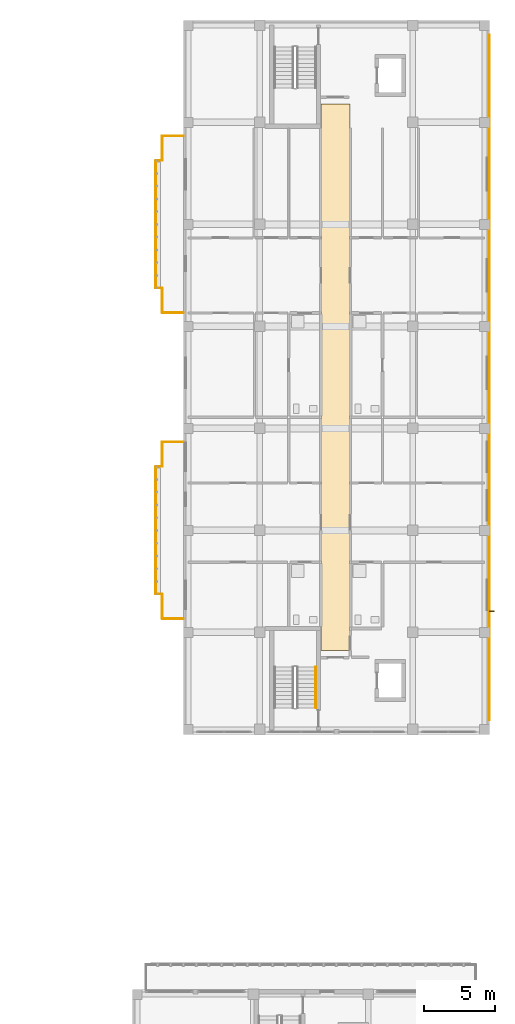
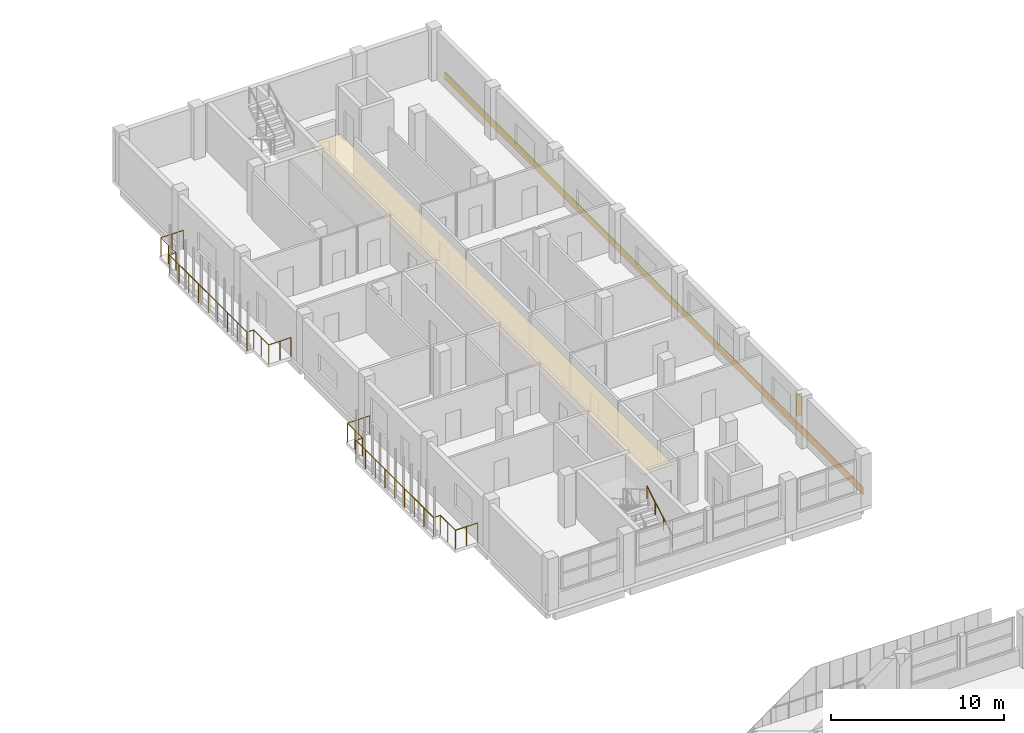
# One storey, part 70 of 73: 3 railings, 2 coverings, 1 shading device.
"""IFC4 building model written with IfcOpenShell, lengths in metres."""

from ifc_helpers import new_model, si_unit, derived_unit, direction, frame, origin, origin_2d, place, context, subcontext, project, spatial, polyline, rectangle, circle, outline, extrude, material, layer, layer_set, type_object, element, save


model = new_model("IFC4")

# Units and contexts
model_context = context("Model", 3, precision=1e-05, world=origin(), true_north=direction((0.0, 1.0)))
body_context = subcontext(model_context, "Body", "Model", "MODEL_VIEW")
ifc_project = project(units=[si_unit("LENGTHUNIT", "METRE"), si_unit("AREAUNIT", "SQUARE_METRE"), si_unit("VOLUMEUNIT", "CUBIC_METRE"), si_unit("PLANEANGLEUNIT", "RADIAN"), si_unit("MASSUNIT", "GRAM", prefix="KILO"), derived_unit("THERMALTRANSMITTANCEUNIT", [(si_unit("MASSUNIT", "GRAM", prefix="KILO"), 1), (si_unit("TIMEUNIT", "SECOND"), -3), (si_unit("THERMODYNAMICTEMPERATUREUNIT", "KELVIN"), -1)])], contexts=[model_context])

# Site, building, storey
site_placement = place(None, origin())
site = spatial("IfcSite", under=ifc_project, at=site_placement, CompositionType="ELEMENT")
building_placement = place(site_placement, origin())
building = spatial("IfcBuilding", under=site, at=building_placement, Name="Ochrekiln Boulevard Commons", CompositionType="ELEMENT")
storey_placement = place(building_placement, frame((0.0, 0.0, 4.89990234375)))
storey = spatial("IfcBuildingStorey", under=building, at=storey_placement, Name="L01", CompositionType="ELEMENT", Elevation=4.89990234375)

# Coverings
ifc_material_1 = material(Name="Mineral-fibre acoustic ceiling tile")
ifc_layer_1 = layer(ifc_material_1, 0.02490234375)
ifc_layer_set_1 = layer_set([ifc_layer_1], Name="Mineral-fibre acoustic ceiling tile")
covering_type_1 = type_object("IfcCoveringType", Name="COV-CEIL-AC", PredefinedType="CEILING", material=ifc_layer_set_1)
covering_1_placement = place(storey_placement, frame((0.0, 0.0, 2.650146484375)))
element("IfcCovering", 1, at=covering_1_placement, inside=storey, type_object=covering_type_1, Name="L01 Acoustic Corridor Ceiling 18", PredefinedType="CEILING", context=body_context, shape_type="SweptSolid", body=[
    extrude(outline(polyline([(160.919921875, 74.320068359375), (162.97998046875, 74.320068359375), (162.97998046875, 112.8798828125), (160.919921875, 112.8798828125), (160.919921875, 74.320068359375)])), origin(), (0.0, 0.0, 1.0), 0.02490234375),
])
ifc_material_2 = material(Name="Glazed architectural terracotta ASTM C1405", Category="masonry")
ifc_layer_2 = layer(ifc_material_2, 0.0400390625)
ifc_layer_set_2 = layer_set([ifc_layer_2], Name="Glazed architectural terracotta ASTM C1405")
covering_type_2 = type_object("IfcCoveringType", Name="COV-CLAD-TERRA", PredefinedType="CLADDING", material=ifc_layer_set_2)
covering_2_placement = place(storey_placement, frame((172.820068359375, 93.60009765625, 0.0751953125), z_axis=(0.0, 0.0, 1.0), x_axis=(1.0, 0.0, 0.0)))
element("IfcCovering", 2, at=covering_2_placement, inside=storey, type_object=covering_type_2, Name="Block B L01 Glazed Terracotta Spandrel Band", PredefinedType="CLADDING", context=body_context, shape_type="SweptSolid", body=[
    extrude(rectangle(XDim=0.0400390625, YDim=48.39990234375, at=origin_2d()), origin(), (0.0, 0.0, 1.0), 0.550048828125),
])

# Railings
ifc_material_3 = material(Name="Bronze-anodized extruded aluminium 6063-T6", Category="aluminium")
railing_type_1 = type_object("IfcRailingType", Name="RLG-BAL-1350", PredefinedType="BALUSTRADE", material=ifc_material_3)
railing_1_placement = place(storey_placement, frame((151.199951171875, 76.56005859375, 0.0)))
element("IfcRailing", 3, at=railing_1_placement, inside=storey, type_object=railing_type_1, Name="Block B L01 Balcony Guard Balustrade 1", PredefinedType="BALUSTRADE", context=body_context, shape_type="SweptSolid", body=[
    extrude(circle(Radius=0.02392578125, at=origin_2d()), frame((0.0, 0.0, 1.326171875), z_axis=(-1.0, 0.0, 0.0), x_axis=(0.0, -1.0, 0.0)), (0.0, 0.0, 1.0), 1.489990234375),
    extrude(circle(Radius=0.02392578125, at=origin_2d()), frame((-1.489990234375, 0.0, 1.326171875), z_axis=(0.0, 1.0, 0.0), x_axis=(-1.0, 0.0, 0.0)), (0.0, 0.0, 1.0), 1.739990234375),
    extrude(circle(Radius=0.02392578125, at=origin_2d()), frame((-1.489990234375, 1.739990234375, 1.326171875), z_axis=(-1.0, 0.0, 0.0), x_axis=(0.0, -1.0, 0.0)), (0.0, 0.0, 1.0), 0.449951171875),
    extrude(circle(Radius=0.02392578125, at=origin_2d()), frame((-1.93994140625, 1.739990234375, 1.326171875), z_axis=(0.0, 1.0, 0.0), x_axis=(-1.0, 0.0, 0.0)), (0.0, 0.0, 1.0), 9.0),
    extrude(circle(Radius=0.02392578125, at=origin_2d()), frame((-1.93994140625, 10.739990234375, 1.326171875), z_axis=(1.0, 0.0, 0.0), x_axis=(0.0, 1.0, 0.0)), (0.0, 0.0, 1.0), 0.449951171875),
    extrude(circle(Radius=0.02392578125, at=origin_2d()), frame((-1.489990234375, 10.739990234375, 1.326171875), z_axis=(0.0, 1.0, 0.0), x_axis=(-1.0, 0.0, 0.0)), (0.0, 0.0, 1.0), 1.739990234375),
    extrude(circle(Radius=0.02392578125, at=origin_2d()), frame((-1.489990234375, 12.47998046875, 1.326171875), z_axis=(1.0, 0.0, 0.0), x_axis=(0.0, 1.0, 0.0)), (0.0, 0.0, 1.0), 1.489990234375),
    extrude(circle(Radius=0.02099609375, at=origin_2d()), origin(), (0.0, 0.0, 1.0), 1.302001953125),
    extrude(circle(Radius=0.02099609375, at=origin_2d()), frame((-0.7451171875, 0.0, 0.0)), (0.0, 0.0, 1.0), 1.302001953125),
    extrude(circle(Radius=0.02099609375, at=origin_2d()), frame((-1.489990234375, 0.0, 0.0)), (0.0, 0.0, 1.0), 1.302001953125),
    extrude(circle(Radius=0.02099609375, at=origin_2d()), frame((-1.489990234375, 0.8701171875, 0.0)), (0.0, 0.0, 1.0), 1.302001953125),
    extrude(circle(Radius=0.02099609375, at=origin_2d()), frame((-1.489990234375, 1.739990234375, 0.0)), (0.0, 0.0, 1.0), 1.302001953125),
    extrude(circle(Radius=0.02099609375, at=origin_2d()), frame((-1.93994140625, 1.739990234375, 0.0)), (0.0, 0.0, 1.0), 1.302001953125),
    extrude(circle(Radius=0.02099609375, at=origin_2d()), frame((-1.93994140625, 2.864990234375, 0.0)), (0.0, 0.0, 1.0), 1.302001953125),
    extrude(circle(Radius=0.02099609375, at=origin_2d()), frame((-1.93994140625, 3.989990234375, 0.0)), (0.0, 0.0, 1.0), 1.302001953125),
    extrude(circle(Radius=0.02099609375, at=origin_2d()), frame((-1.93994140625, 5.114990234375, 0.0)), (0.0, 0.0, 1.0), 1.302001953125),
    extrude(circle(Radius=0.02099609375, at=origin_2d()), frame((-1.93994140625, 6.239990234375, 0.0)), (0.0, 0.0, 1.0), 1.302001953125),
    extrude(circle(Radius=0.02099609375, at=origin_2d()), frame((-1.93994140625, 7.364990234375, 0.0)), (0.0, 0.0, 1.0), 1.302001953125),
    extrude(circle(Radius=0.02099609375, at=origin_2d()), frame((-1.93994140625, 8.489990234375, 0.0)), (0.0, 0.0, 1.0), 1.302001953125),
    extrude(circle(Radius=0.02099609375, at=origin_2d()), frame((-1.93994140625, 9.614990234375, 0.0)), (0.0, 0.0, 1.0), 1.302001953125),
    extrude(circle(Radius=0.02099609375, at=origin_2d()), frame((-1.93994140625, 10.739990234375, 0.0)), (0.0, 0.0, 1.0), 1.302001953125),
    extrude(circle(Radius=0.02099609375, at=origin_2d()), frame((-1.489990234375, 10.739990234375, 0.0)), (0.0, 0.0, 1.0), 1.302001953125),
    extrude(circle(Radius=0.02099609375, at=origin_2d()), frame((-1.489990234375, 11.60986328125, 0.0)), (0.0, 0.0, 1.0), 1.302001953125),
    extrude(circle(Radius=0.02099609375, at=origin_2d()), frame((-1.489990234375, 12.47998046875, 0.0)), (0.0, 0.0, 1.0), 1.302001953125),
    extrude(circle(Radius=0.02099609375, at=origin_2d()), frame((-0.7451171875, 12.47998046875, 0.0)), (0.0, 0.0, 1.0), 1.302001953125),
    extrude(circle(Radius=0.02099609375, at=origin_2d()), frame((0.0, 12.47998046875, 0.0)), (0.0, 0.0, 1.0), 1.302001953125),
])
railing_2_placement = place(storey_placement, frame((151.199951171875, 98.159912109375, 0.0)))
element("IfcRailing", 4, at=railing_2_placement, inside=storey, type_object=railing_type_1, Name="Block B L01 Balcony Guard Balustrade 2", PredefinedType="BALUSTRADE", context=body_context, shape_type="SweptSolid", body=[
    extrude(circle(Radius=0.02392578125, at=origin_2d()), frame((0.0, 0.0, 1.326171875), z_axis=(-1.0, 0.0, 0.0), x_axis=(0.0, -1.0, 0.0)), (0.0, 0.0, 1.0), 1.489990234375),
    extrude(circle(Radius=0.02392578125, at=origin_2d()), frame((-1.489990234375, 0.0, 1.326171875), z_axis=(0.0, 1.0, 0.0), x_axis=(-1.0, 0.0, 0.0)), (0.0, 0.0, 1.0), 1.739990234375),
    extrude(circle(Radius=0.02392578125, at=origin_2d()), frame((-1.489990234375, 1.739990234375, 1.326171875), z_axis=(-1.0, 0.0, 0.0), x_axis=(0.0, -1.0, 0.0)), (0.0, 0.0, 1.0), 0.449951171875),
    extrude(circle(Radius=0.02392578125, at=origin_2d()), frame((-1.93994140625, 1.739990234375, 1.326171875), z_axis=(0.0, 1.0, 0.0), x_axis=(-1.0, 0.0, 0.0)), (0.0, 0.0, 1.0), 9.0),
    extrude(circle(Radius=0.02392578125, at=origin_2d()), frame((-1.93994140625, 10.739990234375, 1.326171875), z_axis=(1.0, 0.0, 0.0), x_axis=(0.0, 1.0, 0.0)), (0.0, 0.0, 1.0), 0.449951171875),
    extrude(circle(Radius=0.02392578125, at=origin_2d()), frame((-1.489990234375, 10.739990234375, 1.326171875), z_axis=(0.0, 1.0, 0.0), x_axis=(-1.0, 0.0, 0.0)), (0.0, 0.0, 1.0), 1.739990234375),
    extrude(circle(Radius=0.02392578125, at=origin_2d()), frame((-1.489990234375, 12.47998046875, 1.326171875), z_axis=(1.0, 0.0, 0.0), x_axis=(0.0, 1.0, 0.0)), (0.0, 0.0, 1.0), 1.489990234375),
    extrude(circle(Radius=0.02099609375, at=origin_2d()), origin(), (0.0, 0.0, 1.0), 1.302001953125),
    extrude(circle(Radius=0.02099609375, at=origin_2d()), frame((-0.7451171875, 0.0, 0.0)), (0.0, 0.0, 1.0), 1.302001953125),
    extrude(circle(Radius=0.02099609375, at=origin_2d()), frame((-1.489990234375, 0.0, 0.0)), (0.0, 0.0, 1.0), 1.302001953125),
    extrude(circle(Radius=0.02099609375, at=origin_2d()), frame((-1.489990234375, 0.8701171875, 0.0)), (0.0, 0.0, 1.0), 1.302001953125),
    extrude(circle(Radius=0.02099609375, at=origin_2d()), frame((-1.489990234375, 1.739990234375, 0.0)), (0.0, 0.0, 1.0), 1.302001953125),
    extrude(circle(Radius=0.02099609375, at=origin_2d()), frame((-1.93994140625, 1.739990234375, 0.0)), (0.0, 0.0, 1.0), 1.302001953125),
    extrude(circle(Radius=0.02099609375, at=origin_2d()), frame((-1.93994140625, 2.864990234375, 0.0)), (0.0, 0.0, 1.0), 1.302001953125),
    extrude(circle(Radius=0.02099609375, at=origin_2d()), frame((-1.93994140625, 3.989990234375, 0.0)), (0.0, 0.0, 1.0), 1.302001953125),
    extrude(circle(Radius=0.02099609375, at=origin_2d()), frame((-1.93994140625, 5.114990234375, 0.0)), (0.0, 0.0, 1.0), 1.302001953125),
    extrude(circle(Radius=0.02099609375, at=origin_2d()), frame((-1.93994140625, 6.239990234375, 0.0)), (0.0, 0.0, 1.0), 1.302001953125),
    extrude(circle(Radius=0.02099609375, at=origin_2d()), frame((-1.93994140625, 7.364990234375, 0.0)), (0.0, 0.0, 1.0), 1.302001953125),
    extrude(circle(Radius=0.02099609375, at=origin_2d()), frame((-1.93994140625, 8.489990234375, 0.0)), (0.0, 0.0, 1.0), 1.302001953125),
    extrude(circle(Radius=0.02099609375, at=origin_2d()), frame((-1.93994140625, 9.614990234375, 0.0)), (0.0, 0.0, 1.0), 1.302001953125),
    extrude(circle(Radius=0.02099609375, at=origin_2d()), frame((-1.93994140625, 10.739990234375, 0.0)), (0.0, 0.0, 1.0), 1.302001953125),
    extrude(circle(Radius=0.02099609375, at=origin_2d()), frame((-1.489990234375, 10.739990234375, 0.0)), (0.0, 0.0, 1.0), 1.302001953125),
    extrude(circle(Radius=0.02099609375, at=origin_2d()), frame((-1.489990234375, 11.60986328125, 0.0)), (0.0, 0.0, 1.0), 1.302001953125),
    extrude(circle(Radius=0.02099609375, at=origin_2d()), frame((-1.489990234375, 12.47998046875, 0.0)), (0.0, 0.0, 1.0), 1.302001953125),
    extrude(circle(Radius=0.02099609375, at=origin_2d()), frame((-0.7451171875, 12.47998046875, 0.0)), (0.0, 0.0, 1.0), 1.302001953125),
    extrude(circle(Radius=0.02099609375, at=origin_2d()), frame((0.0, 12.47998046875, 0.0)), (0.0, 0.0, 1.0), 1.302001953125),
])
ifc_material_4 = material(Name="Brushed stainless steel 316 tubular railing", Category="steel")
railing_type_2 = type_object("IfcRailingType", Name="RLG-HDR-900", PredefinedType="HANDRAIL", material=ifc_material_4)
railing_3_placement = place(storey_placement, frame((160.550048828125, 70.27001953125, 0.167236328125)))
element("IfcRailing", 5, at=railing_3_placement, inside=storey, type_object=railing_type_2, Name="L01 ST-B1 stair handrail 1", PredefinedType="HANDRAIL", context=body_context, shape_type="SweptSolid", body=[
    extrude(circle(Radius=0.02392578125, at=origin_2d()), frame((0.0, 0.0, 0.8759765625), z_axis=(0.0, 0.866523023801, 0.499137104634), x_axis=(-1.0, 0.0, 0.0)), (0.0, 0.0, 1.0), 3.3466796875),
    extrude(circle(Radius=0.02099609375, at=origin_2d()), origin(), (0.0, 0.0, 1.0), 0.851806640625),
    extrude(circle(Radius=0.02099609375, at=origin_2d()), frame((0.0, 0.966552734375, 0.556884765625)), (0.0, 0.0, 1.0), 0.851806640625),
    extrude(circle(Radius=0.02099609375, at=origin_2d()), frame((0.0, 1.933349609375, 1.113525390625)), (0.0, 0.0, 1.0), 0.851806640625),
    extrude(circle(Radius=0.02099609375, at=origin_2d()), frame((0.0, 2.89990234375, 1.67041015625)), (0.0, 0.0, 1.0), 0.851806640625),
])

# Shading device
shading_device_type = type_object("IfcShadingDeviceType", Name="SHD-FIN-TERRA", PredefinedType="JALOUSIE", material=ifc_material_2)
shading_device_placement = place(storey_placement, frame((172.969970703125, 77.08203125, 0.97509765625), z_axis=(0.0, 0.0, 1.0), x_axis=(1.0, 0.0, 0.0)))
element("IfcShadingDevice", 6, at=shading_device_placement, inside=storey, type_object=shading_device_type, Name="Terracotta Solar Shading Fin SF-01 (29)", PredefinedType="JALOUSIE", context=body_context, shape_type="SweptSolid", body=[
    extrude(rectangle(XDim=0.35009765625, YDim=0.080078125, at=origin_2d()), origin(), (0.0, 0.0, 1.0), 1.5),
])

save(model, "model.ifc")
